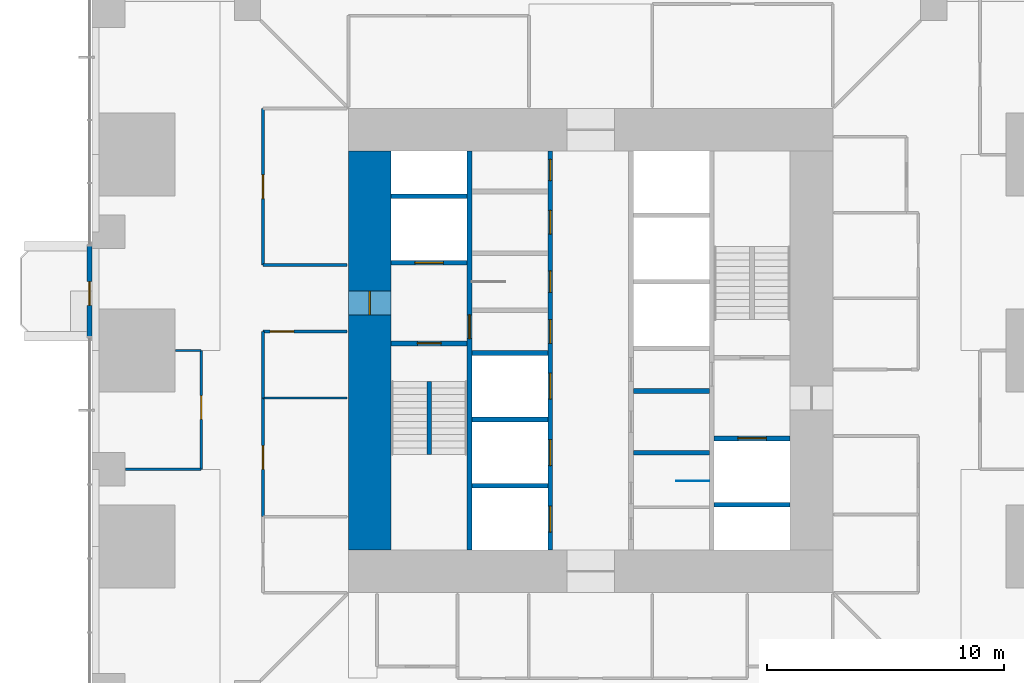
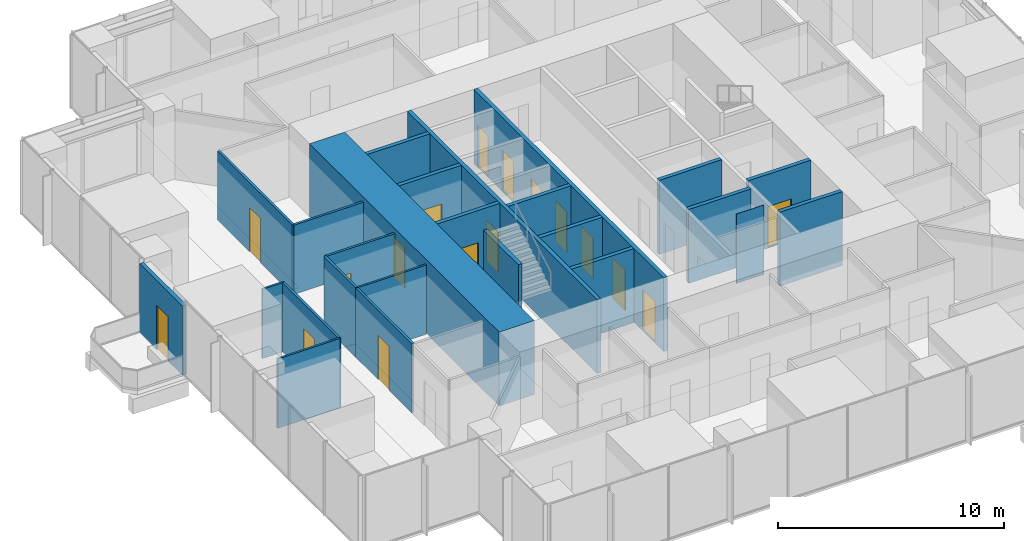
# One storey, part 10 of 16: 25 walls, 17 doors, 17 openings.
"""IFC4 building model written with IfcOpenShell, lengths in metres."""

from ifc_helpers import new_model, si_unit, direction, frame, frame_2d, origin, place, context, subcontext, project, spatial, rectangle, extrude, material, layer, layer_set, type_object, element, fill, save


model = new_model("IFC4")

# Units and contexts
model_context = context("Model", 3, precision=1e-05, world=origin(), true_north=direction((0.0, 1.0)))
body_context = subcontext(model_context, "Body", "Model", "MODEL_VIEW")
ifc_project = project(units=[si_unit("LENGTHUNIT", "METRE"), si_unit("AREAUNIT", "SQUARE_METRE"), si_unit("VOLUMEUNIT", "CUBIC_METRE"), si_unit("PLANEANGLEUNIT", "RADIAN"), si_unit("MASSUNIT", "GRAM", prefix="KILO")], contexts=[model_context])

# Site, building, storey
site_placement = place(None, origin())
site = spatial("IfcSite", under=ifc_project, at=site_placement, CompositionType="ELEMENT")
building_placement = place(site_placement, origin())
building = spatial("IfcBuilding", under=site, at=building_placement, Name="Svetlomir Tower", CompositionType="ELEMENT")
storey_placement = place(building_placement, frame((0.0, 0.0, 50.5)))
storey = spatial("IfcBuildingStorey", under=building, at=storey_placement, Name="L11", CompositionType="ELEMENT", Elevation=50.5)

# Wall, opening, door
ifc_material_1 = material(Name="Bronze anodised aluminium glazed screen", Category="aluminium")
ifc_layer_1 = layer(ifc_material_1, 0.199951171875)
ifc_layer_set_1 = layer_set([ifc_layer_1], Name="Bronze anodised aluminium glazed screen")
wall_type_1 = type_object("IfcWallType", Name="BALCONY SCREEN WALL 200", PredefinedType="USERDEFINED", material=ifc_layer_set_1)
wall_1_placement = place(storey_placement, frame((-0.10009765625, 25.39990234375, 0.0), z_axis=(0.0, 0.0, 1.0), x_axis=(0.0, -1.0, 0.0)))
wall_1 = element("IfcWall", 1, at=wall_1_placement, inside=storey, type_object=wall_type_1, Name="Balcony screen W", ObjectType="GLAZED SCREEN", PredefinedType="USERDEFINED", context=body_context, shape_type="SweptSolid", body=[
    extrude(rectangle(XDim=3.7998046875, YDim=0.199951171875, at=frame_2d((1.89990234375, 0.0))), origin(), (0.0, 0.0, 1.0), 3.75),
])
opening_1_placement = place(wall_1_placement, frame((1.5, 0.0, 0.0)))
opening_1 = element("IfcOpeningElement", 2, at=opening_1_placement, cuts=wall_1, Name="Opening BD", PredefinedType="OPENING", context=body_context, shape_type="SweptSolid", body=[
    extrude(rectangle(XDim=1.0, YDim=2.39990234375, at=frame_2d((0.5, 1.199951171875))), frame((0.0, 0.10986328125, 0.0), z_axis=(0.0, -1.0, 0.0), x_axis=(1.0, 0.0, 0.0)), (0.0, 0.0, 1.0), 0.219970703125),
])
ifc_material_2 = material(Name="Bronze anodised aluminium glazed door", Category="aluminium")
door_type_1 = type_object("IfcDoorType", Name="BALCONY DOOR BD 1000x2400", OperationType="SINGLE_SWING_LEFT", PredefinedType="DOOR", material=ifc_material_2)
door_1_placement = place(opening_1_placement, origin())
door_1 = element("IfcDoor", 3, at=door_1_placement, inside=storey, type_object=door_type_1, Name="Balcony screen W door", OperationType="SINGLE_SWING_LEFT", OverallHeight=2.39990234375, OverallWidth=1.0, PredefinedType="DOOR", context=body_context, shape_type="SweptSolid", body=[
    extrude(rectangle(XDim=1.0, YDim=2.39990234375, at=frame_2d((0.5, 1.199951171875))), frame((0.0, 0.02490234375, 0.0), z_axis=(0.0, -1.0, 0.0), x_axis=(1.0, 0.0, 0.0)), (0.0, 0.0, 1.0), 0.050048828125),
])
fill(opening_1, door_1)

ifc_material_3 = material(Name="Concrete C60/75", Category="concrete")
ifc_layer_2 = layer(ifc_material_3, 0.199951171875)
ifc_layer_set_2 = layer_set([ifc_layer_2], Name="Concrete C60/75")
wall_type_2 = type_object("IfcWallType", Name="CORE INNER WALL 200", PredefinedType="SHEAR", material=ifc_layer_set_2)
wall_2_placement = place(storey_placement, frame((15.89990234375, 12.60009765625, -0.050048828125), z_axis=(0.0, 0.0, 1.0), x_axis=(0.0, 1.0, 0.0)))
wall_2 = element("IfcWall", 4, at=wall_2_placement, inside=storey, type_object=wall_type_2, Name="Core inner wall 15.9 L11", PredefinedType="SHEAR", context=body_context, shape_type="SweptSolid", body=[
    extrude(rectangle(XDim=16.7998046875, YDim=0.199951171875, at=frame_2d((8.39990234375, 0.0))), origin(), (0.0, 0.0, 1.0), 4.0),
])
opening_2_placement = place(wall_2_placement, frame((8.89990234375, 0.0, 0.050048828125)))
opening_2 = element("IfcOpeningElement", 5, at=opening_2_placement, cuts=wall_2, Name="Opening DF", PredefinedType="OPENING", context=body_context, shape_type="SweptSolid", body=[
    extrude(rectangle(XDim=1.0, YDim=2.199951171875, at=frame_2d((0.5, 1.10009765625))), frame((0.0, 0.10986328125, 0.0), z_axis=(0.0, -1.0, 0.0), x_axis=(1.0, 0.0, 0.0)), (0.0, 0.0, 1.0), 0.219970703125),
])
ifc_material_4 = material(Name="Steel fire door", Category="steel")
door_type_2 = type_object("IfcDoorType", Name="DOOR DF 1000x2200", OperationType="SINGLE_SWING_LEFT", PredefinedType="DOOR", material=ifc_material_4)
door_2_placement = place(opening_2_placement, origin())
door_2 = element("IfcDoor", 6, at=door_2_placement, inside=storey, type_object=door_type_2, Name="Core corridor west door L11", OperationType="SINGLE_SWING_LEFT", OverallHeight=2.199951171875, OverallWidth=1.0, PredefinedType="DOOR", context=body_context, shape_type="SweptSolid", body=[
    extrude(rectangle(XDim=1.0, YDim=2.199951171875, at=frame_2d((0.5, 1.10009765625))), frame((0.0, 0.02490234375, 0.0), z_axis=(0.0, -1.0, 0.0), x_axis=(1.0, 0.0, 0.0)), (0.0, 0.0, 1.0), 0.050048828125),
])
fill(opening_2, door_2)

# Wall, openings, doors
wall_3_placement = place(storey_placement, frame((19.300048828125, 12.60009765625, -0.050048828125), z_axis=(0.0, 0.0, 1.0), x_axis=(0.0, 1.0, 0.0)))
wall_3 = element("IfcWall", 7, at=wall_3_placement, inside=storey, type_object=wall_type_2, Name="Core inner wall 19.3 L11", PredefinedType="SHEAR", context=body_context, shape_type="SweptSolid", body=[
    extrude(rectangle(XDim=16.7998046875, YDim=0.199951171875, at=frame_2d((8.39990234375, 0.0))), origin(), (0.0, 0.0, 1.0), 4.0),
])
opening_3_placement = place(wall_3_placement, frame((8.699951171875, 0.0, 0.050048828125)))
opening_3 = element("IfcOpeningElement", 8, at=opening_3_placement, cuts=wall_3, Name="Opening DC", PredefinedType="OPENING", context=body_context, shape_type="SweptSolid", body=[
    extrude(rectangle(XDim=1.0, YDim=2.199951171875, at=frame_2d((0.5, 1.10009765625))), frame((0.0, 0.10986328125, 0.0), z_axis=(0.0, -1.0, 0.0), x_axis=(1.0, 0.0, 0.0)), (0.0, 0.0, 1.0), 0.219970703125),
])
opening_4_placement = place(wall_3_placement, frame((10.85009765625, 0.0, 0.050048828125)))
opening_4 = element("IfcOpeningElement", 9, at=opening_4_placement, cuts=wall_3, Name="Opening DW", PredefinedType="OPENING", context=body_context, shape_type="SweptSolid", body=[
    extrude(rectangle(XDim=0.89990234375, YDim=2.199951171875, at=frame_2d((0.449951171875, 1.10009765625))), frame((0.0, 0.10986328125, 0.0), z_axis=(0.0, -1.0, 0.0), x_axis=(1.0, 0.0, 0.0)), (0.0, 0.0, 1.0), 0.219970703125),
])
opening_5_placement = place(wall_3_placement, frame((13.300048828125, 0.0, 0.050048828125)))
opening_5 = element("IfcOpeningElement", 10, at=opening_5_placement, cuts=wall_3, Name="Opening DC", PredefinedType="OPENING", context=body_context, shape_type="SweptSolid", body=[
    extrude(rectangle(XDim=1.0, YDim=2.199951171875, at=frame_2d((0.5, 1.10009765625))), frame((0.0, 0.10986328125, 0.0), z_axis=(0.0, -1.0, 0.0), x_axis=(1.0, 0.0, 0.0)), (0.0, 0.0, 1.0), 0.219970703125),
])
opening_6_placement = place(wall_3_placement, frame((15.550048828125, 0.0, 0.050048828125)))
opening_6 = element("IfcOpeningElement", 11, at=opening_6_placement, cuts=wall_3, Name="Opening DW", PredefinedType="OPENING", context=body_context, shape_type="SweptSolid", body=[
    extrude(rectangle(XDim=0.89990234375, YDim=2.199951171875, at=frame_2d((0.449951171875, 1.10009765625))), frame((0.0, 0.10986328125, 0.0), z_axis=(0.0, -1.0, 0.0), x_axis=(1.0, 0.0, 0.0)), (0.0, 0.0, 1.0), 0.219970703125),
])
opening_7_placement = place(wall_3_placement, frame((0.75, 0.0, 0.050048828125)))
opening_7 = element("IfcOpeningElement", 12, at=opening_7_placement, cuts=wall_3, Name="Opening LD", PredefinedType="OPENING", context=body_context, shape_type="SweptSolid", body=[
    extrude(rectangle(XDim=1.10009765625, YDim=2.199951171875, at=frame_2d((0.550048828125, 1.10009765625))), frame((0.0, 0.10986328125, 0.0), z_axis=(0.0, -1.0, 0.0), x_axis=(1.0, 0.0, 0.0)), (0.0, 0.0, 1.0), 0.219970703125),
])
opening_8_placement = place(wall_3_placement, frame((3.550048828125, 0.0, 0.050048828125)))
opening_8 = element("IfcOpeningElement", 13, at=opening_8_placement, cuts=wall_3, Name="Opening LD", PredefinedType="OPENING", context=body_context, shape_type="SweptSolid", body=[
    extrude(rectangle(XDim=1.10009765625, YDim=2.199951171875, at=frame_2d((0.550048828125, 1.10009765625))), frame((0.0, 0.10986328125, 0.0), z_axis=(0.0, -1.0, 0.0), x_axis=(1.0, 0.0, 0.0)), (0.0, 0.0, 1.0), 0.219970703125),
])
opening_9_placement = place(wall_3_placement, frame((6.35009765625, 0.0, 0.050048828125)))
opening_9 = element("IfcOpeningElement", 14, at=opening_9_placement, cuts=wall_3, Name="Opening LD", PredefinedType="OPENING", context=body_context, shape_type="SweptSolid", body=[
    extrude(rectangle(XDim=1.10009765625, YDim=2.199951171875, at=frame_2d((0.550048828125, 1.10009765625))), frame((0.0, 0.10986328125, 0.0), z_axis=(0.0, -1.0, 0.0), x_axis=(1.0, 0.0, 0.0)), (0.0, 0.0, 1.0), 0.219970703125),
])
ifc_material_5 = material(Name="Timber fire door", Category="wood")
door_type_3 = type_object("IfcDoorType", Name="DOOR DC 1000x2200", OperationType="SINGLE_SWING_LEFT", PredefinedType="DOOR", material=ifc_material_5)
door_3_placement = place(opening_3_placement, origin())
door_3 = element("IfcDoor", 15, at=door_3_placement, inside=storey, type_object=door_type_3, Name="Core corridor west lobby door L11", OperationType="SINGLE_SWING_RIGHT", OverallHeight=2.199951171875, OverallWidth=1.0, PredefinedType="DOOR", context=body_context, shape_type="SweptSolid", body=[
    extrude(rectangle(XDim=1.0, YDim=2.199951171875, at=frame_2d((0.5, 1.10009765625))), frame((0.0, 0.02490234375, 0.0), z_axis=(0.0, -1.0, 0.0), x_axis=(1.0, 0.0, 0.0)), (0.0, 0.0, 1.0), 0.050048828125),
])
fill(opening_3, door_3)
door_4_placement = place(opening_5_placement, origin())
door_4 = element("IfcDoor", 16, at=door_4_placement, inside=storey, type_object=door_type_3, Name="Accessible WC door L11", OperationType="SINGLE_SWING_LEFT", OverallHeight=2.199951171875, OverallWidth=1.0, PredefinedType="DOOR", context=body_context, shape_type="SweptSolid", body=[
    extrude(rectangle(XDim=1.0, YDim=2.199951171875, at=frame_2d((0.5, 1.10009765625))), frame((0.0, 0.02490234375, 0.0), z_axis=(0.0, -1.0, 0.0), x_axis=(1.0, 0.0, 0.0)), (0.0, 0.0, 1.0), 0.050048828125),
])
fill(opening_5, door_4)
ifc_material_6 = material(Name="Timber fire door", Category="wood")
door_type_4 = type_object("IfcDoorType", Name="DOOR DW 900x2200", OperationType="SINGLE_SWING_LEFT", PredefinedType="DOOR", material=ifc_material_6)
door_5_placement = place(opening_4_placement, origin())
door_5 = element("IfcDoor", 17, at=door_5_placement, inside=storey, type_object=door_type_4, Name="Female WC door L11", OperationType="SINGLE_SWING_RIGHT", OverallHeight=2.199951171875, OverallWidth=0.89990234375, PredefinedType="DOOR", context=body_context, shape_type="SweptSolid", body=[
    extrude(rectangle(XDim=0.89990234375, YDim=2.199951171875, at=frame_2d((0.449951171875, 1.10009765625))), frame((0.0, 0.02490234375, 0.0), z_axis=(0.0, -1.0, 0.0), x_axis=(1.0, 0.0, 0.0)), (0.0, 0.0, 1.0), 0.050048828125),
])
fill(opening_4, door_5)
door_6_placement = place(opening_6_placement, origin())
door_6 = element("IfcDoor", 18, at=door_6_placement, inside=storey, type_object=door_type_4, Name="IT floor distributor room door L11", OperationType="SINGLE_SWING_RIGHT", OverallHeight=2.199951171875, OverallWidth=0.89990234375, PredefinedType="DOOR", context=body_context, shape_type="SweptSolid", body=[
    extrude(rectangle(XDim=0.89990234375, YDim=2.199951171875, at=frame_2d((0.449951171875, 1.10009765625))), frame((0.0, 0.02490234375, 0.0), z_axis=(0.0, -1.0, 0.0), x_axis=(1.0, 0.0, 0.0)), (0.0, 0.0, 1.0), 0.050048828125),
])
fill(opening_6, door_6)
ifc_material_7 = material(Name="Stainless steel landing door", Category="steel")
door_type_5 = type_object("IfcDoorType", Name="LIFT LANDING DOOR LD 1100x2200", OperationType="DOUBLE_DOOR_SLIDING", PredefinedType="DOOR", material=ifc_material_7)
door_7_placement = place(opening_7_placement, origin())
door_7 = element("IfcDoor", 19, at=door_7_placement, inside=storey, type_object=door_type_5, Name="Landing door lift LA1 L11", OperationType="DOUBLE_DOOR_SLIDING", OverallHeight=2.199951171875, OverallWidth=1.10009765625, PredefinedType="DOOR", context=body_context, shape_type="SweptSolid", body=[
    extrude(rectangle(XDim=1.10009765625, YDim=2.199951171875, at=frame_2d((0.550048828125, 1.10009765625))), frame((0.0, 0.02490234375, 0.0), z_axis=(0.0, -1.0, 0.0), x_axis=(1.0, 0.0, 0.0)), (0.0, 0.0, 1.0), 0.050048828125),
])
fill(opening_7, door_7)
door_8_placement = place(opening_8_placement, origin())
door_8 = element("IfcDoor", 20, at=door_8_placement, inside=storey, type_object=door_type_5, Name="Landing door lift LA2 L11", OperationType="DOUBLE_DOOR_SLIDING", OverallHeight=2.199951171875, OverallWidth=1.10009765625, PredefinedType="DOOR", context=body_context, shape_type="SweptSolid", body=[
    extrude(rectangle(XDim=1.10009765625, YDim=2.199951171875, at=frame_2d((0.550048828125, 1.10009765625))), frame((0.0, 0.02490234375, 0.0), z_axis=(0.0, -1.0, 0.0), x_axis=(1.0, 0.0, 0.0)), (0.0, 0.0, 1.0), 0.050048828125),
])
fill(opening_8, door_8)
door_9_placement = place(opening_9_placement, origin())
door_9 = element("IfcDoor", 21, at=door_9_placement, inside=storey, type_object=door_type_5, Name="Landing door lift LA3 L11", OperationType="DOUBLE_DOOR_SLIDING", OverallHeight=2.199951171875, OverallWidth=1.10009765625, PredefinedType="DOOR", context=body_context, shape_type="SweptSolid", body=[
    extrude(rectangle(XDim=1.10009765625, YDim=2.199951171875, at=frame_2d((0.550048828125, 1.10009765625))), frame((0.0, 0.02490234375, 0.0), z_axis=(0.0, -1.0, 0.0), x_axis=(1.0, 0.0, 0.0)), (0.0, 0.0, 1.0), 0.050048828125),
])
fill(opening_9, door_9)

# Wall, opening, door
wall_4_placement = place(storey_placement, frame((12.60009765625, 21.300048828125, -0.050048828125), z_axis=(0.0, 0.0, 1.0), x_axis=(1.0, 0.0, 0.0)))
wall_4 = element("IfcWall", 22, at=wall_4_placement, inside=storey, type_object=wall_type_2, Name="Core inner wall 12.6-15.8/21.3 L11", PredefinedType="SHEAR", context=body_context, shape_type="SweptSolid", body=[
    extrude(rectangle(XDim=3.199951171875, YDim=0.199951171875, at=frame_2d((1.60009765625, 0.0))), origin(), (0.0, 0.0, 1.0), 4.0),
])
opening_10_placement = place(wall_4_placement, frame((1.10009765625, 0.0, 0.050048828125)))
opening_10 = element("IfcOpeningElement", 23, at=opening_10_placement, cuts=wall_4, Name="Opening DF", PredefinedType="OPENING", context=body_context, shape_type="SweptSolid", body=[
    extrude(rectangle(XDim=1.0, YDim=2.199951171875, at=frame_2d((0.5, 1.10009765625))), frame((0.0, 0.10986328125, 0.0), z_axis=(0.0, -1.0, 0.0), x_axis=(1.0, 0.0, 0.0)), (0.0, 0.0, 1.0), 0.219970703125),
])
door_10_placement = place(opening_10_placement, origin())
door_10 = element("IfcDoor", 24, at=door_10_placement, inside=storey, type_object=door_type_2, Name="Stair S1 door L11", OperationType="SINGLE_SWING_RIGHT", OverallHeight=2.199951171875, OverallWidth=1.0, PredefinedType="DOOR", context=body_context, shape_type="SweptSolid", body=[
    extrude(rectangle(XDim=1.0, YDim=2.199951171875, at=frame_2d((0.5, 1.10009765625))), frame((0.0, 0.02490234375, 0.0), z_axis=(0.0, -1.0, 0.0), x_axis=(1.0, 0.0, 0.0)), (0.0, 0.0, 1.0), 0.050048828125),
])
fill(opening_10, door_10)

wall_5_placement = place(storey_placement, frame((12.60009765625, 24.699951171875, -0.050048828125), z_axis=(0.0, 0.0, 1.0), x_axis=(1.0, 0.0, 0.0)))
wall_5 = element("IfcWall", 25, at=wall_5_placement, inside=storey, type_object=wall_type_2, Name="Core inner wall 12.6-15.8/24.7 L11", PredefinedType="SHEAR", context=body_context, shape_type="SweptSolid", body=[
    extrude(rectangle(XDim=3.199951171875, YDim=0.199951171875, at=frame_2d((1.60009765625, 0.0))), origin(), (0.0, 0.0, 1.0), 4.0),
])
opening_11_placement = place(wall_5_placement, frame((1.0, 0.0, 0.050048828125)))
opening_11 = element("IfcOpeningElement", 26, at=opening_11_placement, cuts=wall_5, Name="Opening LD3", PredefinedType="OPENING", context=body_context, shape_type="SweptSolid", body=[
    extrude(rectangle(XDim=1.199951171875, YDim=2.199951171875, at=frame_2d((0.60009765625, 1.10009765625))), frame((0.0, 0.10986328125, 0.0), z_axis=(0.0, -1.0, 0.0), x_axis=(1.0, 0.0, 0.0)), (0.0, 0.0, 1.0), 0.219970703125),
])
ifc_material_8 = material(Name="Stainless steel fire-rated landing door", Category="steel")
door_type_6 = type_object("IfcDoorType", Name="FIREFIGHTING LIFT LANDING DOOR LD3 1200x2200", OperationType="DOUBLE_DOOR_SLIDING", PredefinedType="DOOR", material=ifc_material_8)
door_11_placement = place(opening_11_placement, origin())
door_11 = element("IfcDoor", 27, at=door_11_placement, inside=storey, type_object=door_type_6, Name="Landing door lift FL1 L11", OperationType="DOUBLE_DOOR_SLIDING", OverallHeight=2.199951171875, OverallWidth=1.199951171875, PredefinedType="DOOR", context=body_context, shape_type="SweptSolid", body=[
    extrude(rectangle(XDim=1.199951171875, YDim=2.199951171875, at=frame_2d((0.60009765625, 1.10009765625))), frame((0.0, 0.02490234375, 0.0), z_axis=(0.0, -1.0, 0.0), x_axis=(1.0, 0.0, 0.0)), (0.0, 0.0, 1.0), 0.050048828125),
])
fill(opening_11, door_11)

# Walls
for number, where, z_axis, x_axis, name in (
    (28, (12.60009765625, 27.5, -0.050048828125), (0.0, 0.0, 1.0), (1.0, 0.0, 0.0), "Core inner wall 12.6-15.8/27.5 L11"),
    (29, (16.0, 15.300048828125, -0.050048828125), (0.0, 0.0, 1.0), (1.0, 0.0, 0.0), "Core inner wall 16-19.2/15.3 L11"),
    (30, (16.0, 18.10009765625, -0.050048828125), (0.0, 0.0, 1.0), (1.0, 0.0, 0.0), "Core inner wall 16-19.2/18.1 L11"),
    (31, (16.0, 20.89990234375, -0.050048828125), (0.0, 0.0, 1.0), (1.0, 0.0, 0.0), "Core inner wall 16-19.2/20.9 L11"),
    (32, (22.800048828125, 16.699951171875, -0.050048828125), (0.0, 0.0, 1.0), (1.0, 0.0, 0.0), "Core inner wall 22.8-26/16.7 L11"),
    (33, (22.800048828125, 19.300048828125, -0.050048828125), (0.0, 0.0, 1.0), (1.0, 0.0, 0.0), "Core inner wall 22.8-26/19.3 L11"),
    (34, (26.199951171875, 14.5, -0.050048828125), (0.0, 0.0, 1.0), (1.0, 0.0, 0.0), "Core inner wall 26.2-29.4/14.5 L11"),
):
    element("IfcWall", number, at=place(storey_placement, frame(where, z_axis=z_axis, x_axis=x_axis)), inside=storey, type_object=wall_type_2, Name=name, PredefinedType="SHEAR", context=body_context, shape_type="SweptSolid", body=[
        extrude(rectangle(XDim=3.199951171875, YDim=0.199951171875, at=frame_2d((1.60009765625, 0.0))), origin(), (0.0, 0.0, 1.0), 4.0),
    ])

# Wall, opening, door
wall_6_placement = place(storey_placement, frame((26.199951171875, 17.300048828125, -0.050048828125), z_axis=(0.0, 0.0, 1.0), x_axis=(1.0, 0.0, 0.0)))
wall_6 = element("IfcWall", 35, at=wall_6_placement, inside=storey, type_object=wall_type_2, Name="Core inner wall 26.2-29.4/17.3 L11", PredefinedType="SHEAR", context=body_context, shape_type="SweptSolid", body=[
    extrude(rectangle(XDim=3.199951171875, YDim=0.199951171875, at=frame_2d((1.60009765625, 0.0))), origin(), (0.0, 0.0, 1.0), 4.0),
])
opening_12_placement = place(wall_6_placement, frame((1.0, 0.0, 0.050048828125)))
opening_12 = element("IfcOpeningElement", 36, at=opening_12_placement, cuts=wall_6, Name="Opening LD3", PredefinedType="OPENING", context=body_context, shape_type="SweptSolid", body=[
    extrude(rectangle(XDim=1.199951171875, YDim=2.199951171875, at=frame_2d((0.60009765625, 1.10009765625))), frame((0.0, 0.10986328125, 0.0), z_axis=(0.0, -1.0, 0.0), x_axis=(1.0, 0.0, 0.0)), (0.0, 0.0, 1.0), 0.219970703125),
])
door_12_placement = place(opening_12_placement, origin())
door_12 = element("IfcDoor", 37, at=door_12_placement, inside=storey, type_object=door_type_6, Name="Landing door lift FL2 L11", OperationType="DOUBLE_DOOR_SLIDING", OverallHeight=2.199951171875, OverallWidth=1.199951171875, PredefinedType="DOOR", context=body_context, shape_type="SweptSolid", body=[
    extrude(rectangle(XDim=1.199951171875, YDim=2.199951171875, at=frame_2d((0.60009765625, 1.10009765625))), frame((0.0, 0.02490234375, 0.0), z_axis=(0.0, -1.0, 0.0), x_axis=(1.0, 0.0, 0.0)), (0.0, 0.0, 1.0), 0.050048828125),
])
fill(opening_12, door_12)

ifc_material_9 = material(Name="Concrete C60/75", Category="concrete")
ifc_layer_3 = layer(ifc_material_9, 1.800048828125)
ifc_layer_set_3 = layer_set([ifc_layer_3], Name="Concrete C60/75")
wall_type_3 = type_object("IfcWallType", Name="CORE WALL 1800", PredefinedType="SHEAR", material=ifc_layer_set_3)
wall_7_placement = place(storey_placement, frame((11.699951171875, 12.60009765625, -0.050048828125), z_axis=(0.0, 0.0, 1.0), x_axis=(0.0, 1.0, 0.0)))
wall_7 = element("IfcWall", 38, at=wall_7_placement, inside=storey, type_object=wall_type_3, Name="Core wall west L11", PredefinedType="SHEAR", context=body_context, shape_type="SweptSolid", body=[
    extrude(rectangle(XDim=16.7998046875, YDim=1.800048828125, at=frame_2d((8.39990234375, 0.0))), origin(), (0.0, 0.0, 1.0), 4.0),
])
opening_13_placement = place(wall_7_placement, frame((9.89990234375, 0.0, 0.050048828125)))
opening_13 = element("IfcOpeningElement", 39, at=opening_13_placement, cuts=wall_7, Name="Opening DF", PredefinedType="OPENING", context=body_context, shape_type="SweptSolid", body=[
    extrude(rectangle(XDim=1.0, YDim=2.199951171875, at=frame_2d((0.5, 1.10009765625))), frame((0.0, 0.91015625, 0.0), z_axis=(0.0, -1.0, 0.0), x_axis=(1.0, 0.0, 0.0)), (0.0, 0.0, 1.0), 1.820068359375),
])
door_13_placement = place(opening_13_placement, origin())
door_13 = element("IfcDoor", 40, at=door_13_placement, inside=storey, type_object=door_type_2, Name="Firefighting lobby west door L11", OperationType="SINGLE_SWING_RIGHT", OverallHeight=2.199951171875, OverallWidth=1.0, PredefinedType="DOOR", context=body_context, shape_type="SweptSolid", body=[
    extrude(rectangle(XDim=1.0, YDim=2.199951171875, at=frame_2d((0.5, 1.10009765625))), frame((0.0, 0.02490234375, 0.0), z_axis=(0.0, -1.0, 0.0), x_axis=(1.0, 0.0, 0.0)), (0.0, 0.0, 1.0), 0.050048828125),
])
fill(opening_13, door_13)

# Walls
ifc_material_10 = material(Name="Framed laminated glass partition", Category="glass")
ifc_layer_4 = layer(ifc_material_10, 0.10009765625)
ifc_layer_set_4 = layer_set([ifc_layer_4], Name="Framed laminated glass partition")
wall_type_4 = type_object("IfcWallType", Name="GLAZED PARTITION 100", PredefinedType="PARTITIONING", material=ifc_layer_set_4)
wall_8_placement = place(storey_placement, frame((1.409912109375, 16.0, 0.0), z_axis=(0.0, 0.0, 1.0), x_axis=(1.0, 0.0, 0.0)))
element("IfcWall", 41, at=wall_8_placement, inside=storey, type_object=wall_type_4, Name="Glazed partition L11", PredefinedType="PARTITIONING", context=body_context, shape_type="SweptSolid", body=[
    extrude(rectangle(XDim=3.190185546875, YDim=0.10009765625, at=frame_2d((1.59521484375, 0.0))), origin(), (0.0, 0.0, 1.0), 3.75),
])
wall_9_placement = place(storey_placement, frame((3.510009765625, 21.0, 0.0), z_axis=(0.0, 0.0, 1.0), x_axis=(1.0, 0.0, 0.0)))
element("IfcWall", 42, at=wall_9_placement, inside=storey, type_object=wall_type_4, Name="Glazed partition L11", PredefinedType="PARTITIONING", context=body_context, shape_type="SweptSolid", body=[
    extrude(rectangle(XDim=1.090087890625, YDim=0.10009765625, at=frame_2d((0.544921875, 0.0))), origin(), (0.0, 0.0, 1.0), 3.75),
])
wall_10_placement = place(storey_placement, frame((7.199951171875, 19.0, 0.0), z_axis=(0.0, 0.0, 1.0), x_axis=(1.0, 0.0, 0.0)))
element("IfcWall", 43, at=wall_10_placement, inside=storey, type_object=wall_type_4, Name="Glazed partition L11", PredefinedType="PARTITIONING", context=body_context, shape_type="SweptSolid", body=[
    extrude(rectangle(XDim=3.550048828125, YDim=0.10009765625, at=frame_2d((1.77490234375, 0.0))), origin(), (0.0, 0.0, 1.0), 3.75),
])

# Wall, opening, door
ifc_material_11 = material(Name="Gypsum board on steel studs", Category="steel")
ifc_layer_5 = layer(ifc_material_11, 0.1201171875)
ifc_layer_set_5 = layer_set([ifc_layer_5], Name="Gypsum board on steel studs")
wall_type_5 = type_object("IfcWallType", Name="PARTITION 120", PredefinedType="PARTITIONING", material=ifc_layer_set_5)
wall_11_placement = place(storey_placement, frame((4.60009765625, 16.0, 0.0), z_axis=(0.0, 0.0, 1.0), x_axis=(0.0, 1.0, 0.0)))
wall_11 = element("IfcWall", 44, at=wall_11_placement, inside=storey, type_object=wall_type_5, Name="Partition L11", PredefinedType="PARTITIONING", context=body_context, shape_type="SweptSolid", body=[
    extrude(rectangle(XDim=5.0, YDim=0.1201171875, at=frame_2d((2.5, 0.0))), origin(), (0.0, 0.0, 1.0), 3.75),
])
opening_14_placement = place(wall_11_placement, frame((2.10009765625, 0.0, 0.0)))
opening_14 = element("IfcOpeningElement", 45, at=opening_14_placement, cuts=wall_11, Name="Opening DG", PredefinedType="OPENING", context=body_context, shape_type="SweptSolid", body=[
    extrude(rectangle(XDim=1.0, YDim=2.39990234375, at=frame_2d((0.5, 1.199951171875))), frame((0.0, 0.070068359375, 0.0), z_axis=(0.0, -1.0, 0.0), x_axis=(1.0, 0.0, 0.0)), (0.0, 0.0, 1.0), 0.14013671875),
])
ifc_material_12 = material(Name="Framed laminated glass door", Category="glass")
door_type_7 = type_object("IfcDoorType", Name="GLAZED DOOR DG 1000x2400", OperationType="SINGLE_SWING_LEFT", PredefinedType="DOOR", material=ifc_material_12)
door_14_placement = place(opening_14_placement, origin())
door_14 = element("IfcDoor", 46, at=door_14_placement, inside=storey, type_object=door_type_7, Name="Analytics lab door L11", OperationType="SINGLE_SWING_RIGHT", OverallHeight=2.39990234375, OverallWidth=1.0, PredefinedType="DOOR", context=body_context, shape_type="SweptSolid", body=[
    extrude(rectangle(XDim=1.0, YDim=2.39990234375, at=frame_2d((0.5, 1.199951171875))), frame((0.0, 0.02490234375, 0.0), z_axis=(0.0, -1.0, 0.0), x_axis=(1.0, 0.0, 0.0)), (0.0, 0.0, 1.0), 0.050048828125),
])
fill(opening_14, door_14)

wall_12_placement = place(storey_placement, frame((7.199951171875, 14.0, 0.0), z_axis=(0.0, 0.0, 1.0), x_axis=(0.0, 1.0, 0.0)))
wall_12 = element("IfcWall", 47, at=wall_12_placement, inside=storey, type_object=wall_type_5, Name="Partition L11", PredefinedType="PARTITIONING", context=body_context, shape_type="SweptSolid", body=[
    extrude(rectangle(XDim=5.0, YDim=0.1201171875, at=frame_2d((2.5, 0.0))), origin(), (0.0, 0.0, 1.0), 3.75),
])
opening_15_placement = place(wall_12_placement, frame((2.0, 0.0, 0.0)))
opening_15 = element("IfcOpeningElement", 48, at=opening_15_placement, cuts=wall_12, Name="Opening DG", PredefinedType="OPENING", context=body_context, shape_type="SweptSolid", body=[
    extrude(rectangle(XDim=1.0, YDim=2.39990234375, at=frame_2d((0.5, 1.199951171875))), frame((0.0, 0.070068359375, 0.0), z_axis=(0.0, -1.0, 0.0), x_axis=(1.0, 0.0, 0.0)), (0.0, 0.0, 1.0), 0.14013671875),
])
door_15_placement = place(opening_15_placement, origin())
door_15 = element("IfcDoor", 49, at=door_15_placement, inside=storey, type_object=door_type_7, Name="Meeting room, 8 seats door L11", OperationType="SINGLE_SWING_LEFT", OverallHeight=2.39990234375, OverallWidth=1.0, PredefinedType="DOOR", context=body_context, shape_type="SweptSolid", body=[
    extrude(rectangle(XDim=1.0, YDim=2.39990234375, at=frame_2d((0.5, 1.199951171875))), frame((0.0, 0.02490234375, 0.0), z_axis=(0.0, -1.0, 0.0), x_axis=(1.0, 0.0, 0.0)), (0.0, 0.0, 1.0), 0.050048828125),
])
fill(opening_15, door_15)

# Wall
wall_13_placement = place(storey_placement, frame((7.199951171875, 19.0, 0.0), z_axis=(0.0, 0.0, 1.0), x_axis=(0.0, 1.0, 0.0)))
element("IfcWall", 50, at=wall_13_placement, inside=storey, type_object=wall_type_5, Name="Partition L11", PredefinedType="PARTITIONING", context=body_context, shape_type="SweptSolid", body=[
    extrude(rectangle(XDim=2.800048828125, YDim=0.1201171875, at=frame_2d((1.39990234375, 0.0))), origin(), (0.0, 0.0, 1.0), 3.75),
])

# Wall, opening, door
wall_14_placement = place(storey_placement, frame((7.199951171875, 21.800048828125, 0.0), z_axis=(0.0, 0.0, 1.0), x_axis=(1.0, 0.0, 0.0)))
wall_14 = element("IfcWall", 51, at=wall_14_placement, inside=storey, type_object=wall_type_5, Name="Partition L11", PredefinedType="PARTITIONING", context=body_context, shape_type="SweptSolid", body=[
    extrude(rectangle(XDim=3.550048828125, YDim=0.1201171875, at=frame_2d((1.77490234375, 0.0))), origin(), (0.0, 0.0, 1.0), 3.75),
])
opening_16_placement = place(wall_14_placement, frame((0.300048828125, 0.0, 0.0)))
opening_16 = element("IfcOpeningElement", 52, at=opening_16_placement, cuts=wall_14, Name="Opening DG", PredefinedType="OPENING", context=body_context, shape_type="SweptSolid", body=[
    extrude(rectangle(XDim=1.0, YDim=2.39990234375, at=frame_2d((0.5, 1.199951171875))), frame((0.0, 0.070068359375, 0.0), z_axis=(0.0, -1.0, 0.0), x_axis=(1.0, 0.0, 0.0)), (0.0, 0.0, 1.0), 0.14013671875),
])
door_16_placement = place(opening_16_placement, origin())
door_16 = element("IfcDoor", 53, at=door_16_placement, inside=storey, type_object=door_type_7, Name="Ring corridor 2 door 3 L11", OperationType="SINGLE_SWING_LEFT", OverallHeight=2.39990234375, OverallWidth=1.0, PredefinedType="DOOR", context=body_context, shape_type="SweptSolid", body=[
    extrude(rectangle(XDim=1.0, YDim=2.39990234375, at=frame_2d((0.5, 1.199951171875))), frame((0.0, 0.02490234375, 0.0), z_axis=(0.0, -1.0, 0.0), x_axis=(1.0, 0.0, 0.0)), (0.0, 0.0, 1.0), 0.050048828125),
])
fill(opening_16, door_16)

wall_15_placement = place(storey_placement, frame((7.199951171875, 24.60009765625, 0.0), z_axis=(0.0, 0.0, 1.0), x_axis=(0.0, 1.0, 0.0)))
wall_15 = element("IfcWall", 54, at=wall_15_placement, inside=storey, type_object=wall_type_5, Name="Partition L11", PredefinedType="PARTITIONING", context=body_context, shape_type="SweptSolid", body=[
    extrude(rectangle(XDim=6.599853515625, YDim=0.1201171875, at=frame_2d((3.2998046875, 0.0))), origin(), (0.0, 0.0, 1.0), 3.75),
])
opening_17_placement = place(wall_15_placement, frame((2.800048828125, 0.0, 0.0)))
opening_17 = element("IfcOpeningElement", 55, at=opening_17_placement, cuts=wall_15, Name="Opening DG", PredefinedType="OPENING", context=body_context, shape_type="SweptSolid", body=[
    extrude(rectangle(XDim=1.0, YDim=2.39990234375, at=frame_2d((0.5, 1.199951171875))), frame((0.0, 0.070068359375, 0.0), z_axis=(0.0, -1.0, 0.0), x_axis=(1.0, 0.0, 0.0)), (0.0, 0.0, 1.0), 0.14013671875),
])
door_17_placement = place(opening_17_placement, origin())
door_17 = element("IfcDoor", 56, at=door_17_placement, inside=storey, type_object=door_type_7, Name="Threat intelligence room, 10 seats door L11", OperationType="SINGLE_SWING_RIGHT", OverallHeight=2.39990234375, OverallWidth=1.0, PredefinedType="DOOR", context=body_context, shape_type="SweptSolid", body=[
    extrude(rectangle(XDim=1.0, YDim=2.39990234375, at=frame_2d((0.5, 1.199951171875))), frame((0.0, 0.02490234375, 0.0), z_axis=(0.0, -1.0, 0.0), x_axis=(1.0, 0.0, 0.0)), (0.0, 0.0, 1.0), 0.050048828125),
])
fill(opening_17, door_17)

# Walls
wall_16_placement = place(storey_placement, frame((7.199951171875, 24.60009765625, 0.0), z_axis=(0.0, 0.0, 1.0), x_axis=(1.0, 0.0, 0.0)))
element("IfcWall", 57, at=wall_16_placement, inside=storey, type_object=wall_type_5, Name="Partition L11", PredefinedType="PARTITIONING", context=body_context, shape_type="SweptSolid", body=[
    extrude(rectangle(XDim=3.550048828125, YDim=0.1201171875, at=frame_2d((1.77490234375, 0.0))), origin(), (0.0, 0.0, 1.0), 3.75),
])
ifc_material_13 = material(Name="Concrete C60/75", Category="concrete")
ifc_layer_6 = layer(ifc_material_13, 0.199951171875)
ifc_layer_set_6 = layer_set([ifc_layer_6], Name="Concrete C60/75")
wall_type_6 = type_object("IfcWallType", Name="STAIR SPINE WALL 200", PredefinedType="PARTITIONING", material=ifc_layer_set_6)
wall_17_placement = place(storey_placement, frame((14.199951171875, 16.6201171875, 0.0), z_axis=(0.0, 0.0, 1.0), x_axis=(0.0, 1.0, 0.0)))
element("IfcWall", 58, at=wall_17_placement, inside=storey, type_object=wall_type_6, Name="Stair S1 spine wall L11", PredefinedType="PARTITIONING", context=body_context, shape_type="SweptSolid", body=[
    extrude(rectangle(XDim=3.079833984375, YDim=0.199951171875, at=frame_2d((1.5400390625, 0.0))), origin(), (0.0, 0.0, 1.0), 4.0),
])
ifc_material_14 = material(Name="Compact laminate panel", Category="plastic")
ifc_layer_7 = layer(ifc_material_14, 0.030029296875)
ifc_layer_set_7 = layer_set([ifc_layer_7], Name="Compact laminate panel")
wall_type_7 = type_object("IfcWallType", Name="WC CUBICLE PARTITION 30", PredefinedType="PARTITIONING", material=ifc_layer_set_7)
wall_18_placement = place(storey_placement, frame((24.60009765625, 15.5, 0.0), z_axis=(0.0, 0.0, 1.0), x_axis=(1.0, 0.0, 0.0)))
element("IfcWall", 59, at=wall_18_placement, inside=storey, type_object=wall_type_7, Name="WC cubicle partition L11", PredefinedType="PARTITIONING", context=body_context, shape_type="SweptSolid", body=[
    extrude(rectangle(XDim=1.39990234375, YDim=0.030029296875, at=frame_2d((0.699951171875, 0.0))), origin(), (0.0, 0.0, 1.0), 3.75),
])

save(model, "model.ifc")
